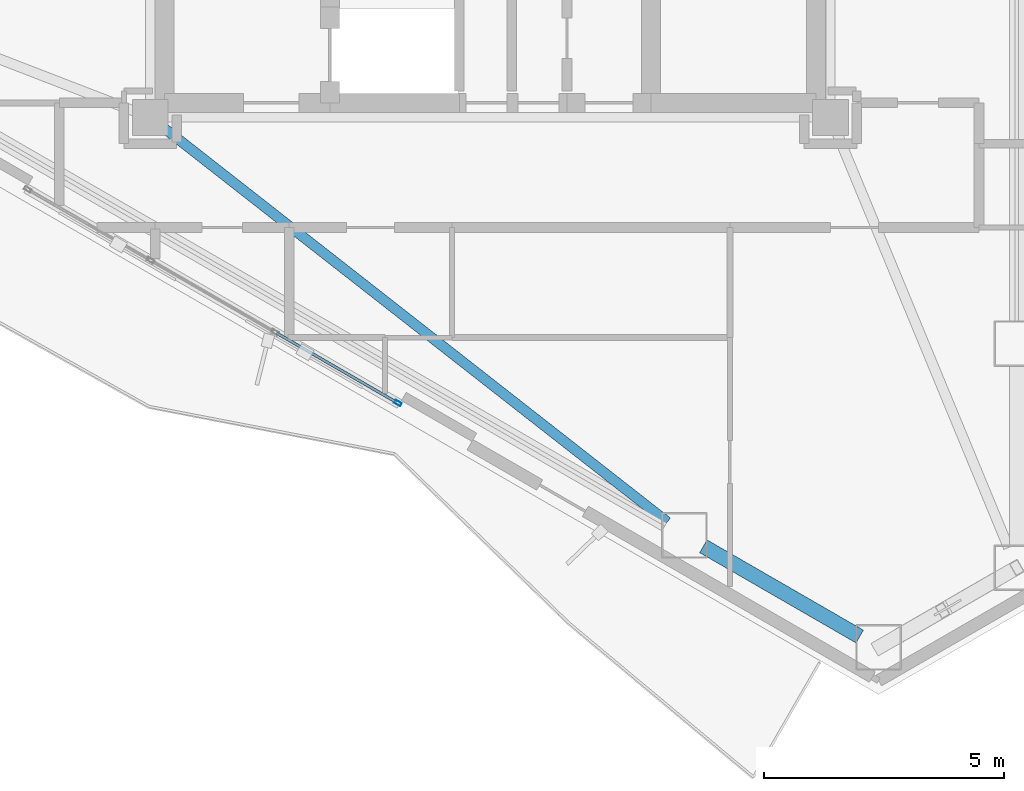
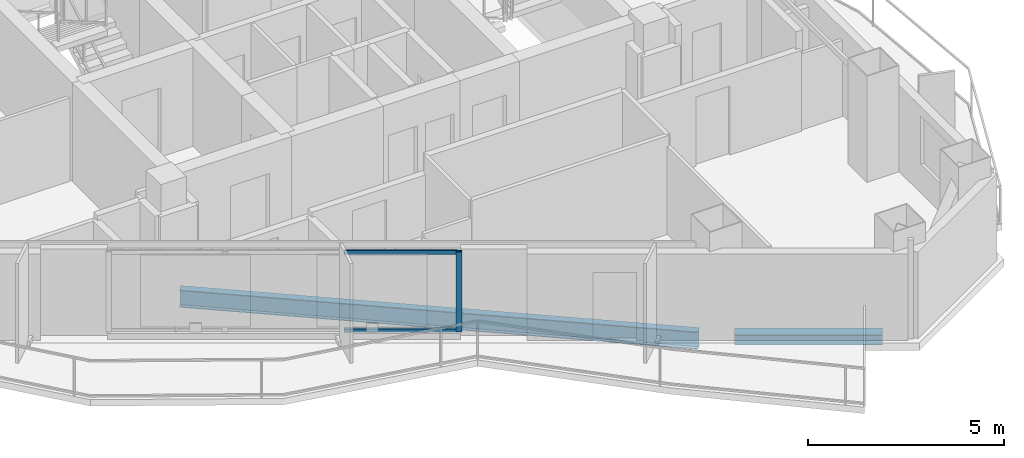
# One storey, part 4 of 22: 3 members, 2 beams, 1 element without a shape of its own.
"""IFC4 building model written with IfcOpenShell, lengths in metres."""

from ifc_helpers import new_model, si_unit, direction, frame, origin, origin_2d, place, context, subcontext, project, spatial, hollow_rectangle, i_section, extrude, material, layer, layer_set, material_profile, profile_set, type_object, element, aggregate, save


model = new_model("IFC4")

# Units and contexts
model_context = context("Model", 3, precision=1e-05, world=origin(), true_north=direction((0.0, 1.0)))
body_context = subcontext(model_context, "Body", "Model", "MODEL_VIEW")
ifc_project = project(units=[si_unit("LENGTHUNIT", "METRE"), si_unit("AREAUNIT", "SQUARE_METRE"), si_unit("VOLUMEUNIT", "CUBIC_METRE"), si_unit("PLANEANGLEUNIT", "RADIAN"), si_unit("MASSUNIT", "GRAM", prefix="KILO")], contexts=[model_context])

# Site, building, storey
site_placement = place(None, origin())
site = spatial("IfcSite", under=ifc_project, at=site_placement, CompositionType="ELEMENT")
building_placement = place(site_placement, origin())
building = spatial("IfcBuilding", under=site, at=building_placement, Name="Mersakhor Tower and Convention Hall", CompositionType="ELEMENT")
storey_placement = place(building_placement, frame((0.0, 0.0, 188.699951171875)))
storey = spatial("IfcBuildingStorey", under=building, at=storey_placement, Name="L52", CompositionType="ELEMENT", Elevation=188.699951171875)

# Beams
ifc_material_1 = material(Name="Steel S355", Category="steel")
ifc_material_profile_1 = material_profile(ifc_material_1, i_section(OverallWidth=0.2099609375, OverallDepth=0.53662109375, WebThickness=0.0107421875, FlangeThickness=0.017333984375, at=origin_2d()), Name="UB 533x210x101")
ifc_profile_set_1 = profile_set([ifc_material_profile_1], Name="Steel S355")
beam_type_1 = type_object("IfcBeamType", Name="BM-FB-533", PredefinedType="BEAM", material=ifc_profile_set_1)
beam_1_placement = place(storey_placement, frame((22.1796875, 20.231201171875, -0.498291015625), z_axis=(0.787496511663, -0.616319109, 0.0), x_axis=(0.616319109, 0.787496511663, 0.0)))
element("IfcBeam", 1, at=beam_1_placement, inside=storey, type_object=beam_type_1, Name="L52 Primary Floor Girder FG-5", PredefinedType="BEAM", context=body_context, shape_type="SweptSolid", body=[
    extrude(i_section(OverallWidth=0.2099609375, OverallDepth=0.53662109375, WebThickness=0.0107421875, FlangeThickness=0.017333984375, at=origin_2d()), origin(), (0.0, 0.0, 1.0), 13.35107421875),
])
ifc_material_2 = material(Name="Steel S355", Category="steel")
ifc_material_profile_2 = material_profile(ifc_material_2, i_section(OverallWidth=0.30908203125, OverallDepth=0.320556640625, WebThickness=0.013916015625, FlangeThickness=0.021728515625, at=origin_2d()), Name="UC 305x305x137")
ifc_profile_set_2 = profile_set([ifc_material_profile_2], Name="Steel S355")
beam_type_2 = type_object("IfcBeamType", Name="BM-SPD-UC305", PredefinedType="SPANDREL", material=ifc_profile_set_2)
beam_2_placement = place(storey_placement, frame((36.710205078125, 9.6103515625, -0.39013671875), z_axis=(-0.866046450459, 0.499963544319, 0.0), x_axis=(-0.499963544319, -0.866046450459, 0.0)))
element("IfcBeam", 2, at=beam_2_placement, inside=storey, type_object=beam_type_2, Name="L52 Perimeter Spandrel Beam SPB-09", PredefinedType="SPANDREL", context=body_context, shape_type="SweptSolid", body=[
    extrude(i_section(OverallWidth=0.30908203125, OverallDepth=0.320556640625, WebThickness=0.013916015625, FlangeThickness=0.021728515625, at=origin_2d()), origin(), (0.0, 0.0, 1.0), 3.769287109375),
])

# Curtain wall, members
ifc_material_3 = material(Name="Dark solar low-E aluminium curtain wall", Category="aluminium")
ifc_layer = layer(ifc_material_3, 0.169921875)
ifc_layer_set = layer_set([ifc_layer], Name="Dark solar low-E aluminium curtain wall")
curtain_wall_type = type_object("IfcCurtainWallType", Name="CW-SYS-02", PredefinedType="USERDEFINED", material=ifc_layer_set)
curtain_wall_placement = place(storey_placement, origin())
curtain_wall = element("IfcCurtainWall", 3, at=curtain_wall_placement, inside=storey, type_object=curtain_wall_type, Name="L52 Dark-Glass Curtain Wall F3-B2", ObjectType="CURTAIN WALL", PredefinedType="USERDEFINED")
ifc_material_4 = material(Name="Anodised aluminium EN AW-6063 T6", Category="aluminium")
ifc_material_profile_3 = material_profile(ifc_material_4, hollow_rectangle(XDim=0.074951171875, YDim=0.14990234375, WallThickness=0.00634765625, at=origin_2d()), Name="RHS 150x75x6.3")
ifc_profile_set_3 = profile_set([ifc_material_profile_3], Name="Anodised aluminium EN AW-6063 T6")
member_type_1 = type_object("IfcMemberType", Name="CWM-150x75", PredefinedType="MULLION", material=ifc_profile_set_3)
member_1_placement = place(storey_placement, frame((27.06982421875, 14.483154296875, 0.199951171875), z_axis=(0.0, 0.0, 1.0), x_axis=(-0.500007824483, -0.86602088627, 0.0)))
member_1 = element("IfcMember", 4, at=member_1_placement, type_object=member_type_1, Name="CW-02 mullion 1", PredefinedType="MULLION", context=body_context, shape_type="SweptSolid", body=[
    extrude(hollow_rectangle(XDim=0.074951171875, YDim=0.14990234375, WallThickness=0.00634765625, at=origin_2d()), origin(), (0.0, 0.0, 1.0), 2.489990234375),
])
ifc_material_5 = material(Name="Anodised aluminium EN AW-6063 T6", Category="aluminium")
ifc_material_profile_4 = material_profile(ifc_material_5, hollow_rectangle(XDim=0.06005859375, YDim=0.1201171875, WallThickness=0.0048828125, at=origin_2d()), Name="RHS 120x60x5")
ifc_profile_set_4 = profile_set([ifc_material_profile_4], Name="Anodised aluminium EN AW-6063 T6")
member_type_2 = type_object("IfcMemberType", Name="CWT-120x60", PredefinedType="USERDEFINED", material=ifc_profile_set_4)
member_2_placement = place(storey_placement, frame((27.037353515625, 14.501953125, 0.22998046875), z_axis=(-0.86601237176, 0.50002257145, 0.0), x_axis=(-0.50002257145, -0.86601237176, 0.0)))
member_2 = element("IfcMember", 5, at=member_2_placement, type_object=member_type_2, Name="CW-02 transom 1.1", ObjectType="TRANSOM", PredefinedType="USERDEFINED", context=body_context, shape_type="SweptSolid", body=[
    extrude(hollow_rectangle(XDim=0.06005859375, YDim=0.1201171875, WallThickness=0.0048828125, at=origin_2d()), origin(), (0.0, 0.0, 1.0), 2.886962890625),
])
member_3_placement = place(storey_placement, frame((27.037353515625, 14.501953125, 2.66015625), z_axis=(-0.86601237176, 0.50002257145, 0.0), x_axis=(-0.50002257145, -0.86601237176, 0.0)))
member_3 = element("IfcMember", 6, at=member_3_placement, type_object=member_type_2, Name="CW-02 transom 1.2", ObjectType="TRANSOM", PredefinedType="USERDEFINED", context=body_context, shape_type="SweptSolid", body=[
    extrude(hollow_rectangle(XDim=0.06005859375, YDim=0.1201171875, WallThickness=0.0048828125, at=origin_2d()), origin(), (0.0, 0.0, 1.0), 2.886962890625),
])
aggregate(curtain_wall, [member_1, member_2, member_3])

save(model, "model.ifc")
